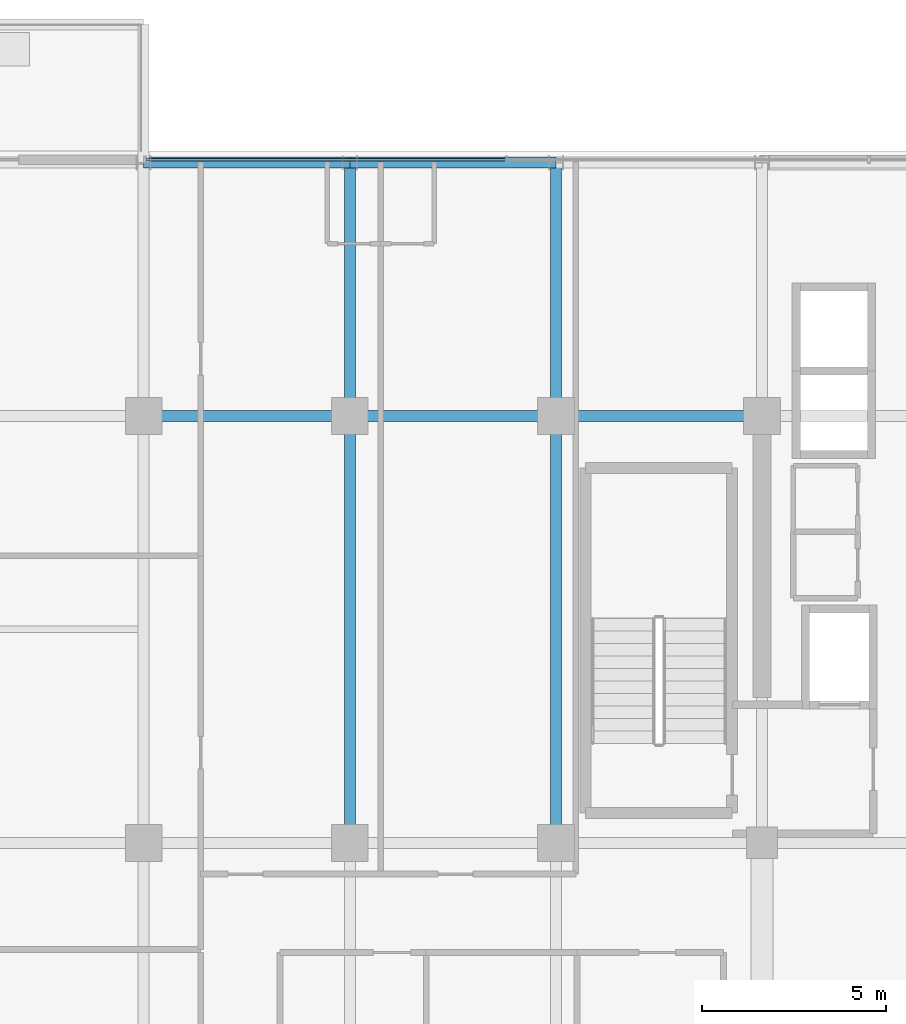
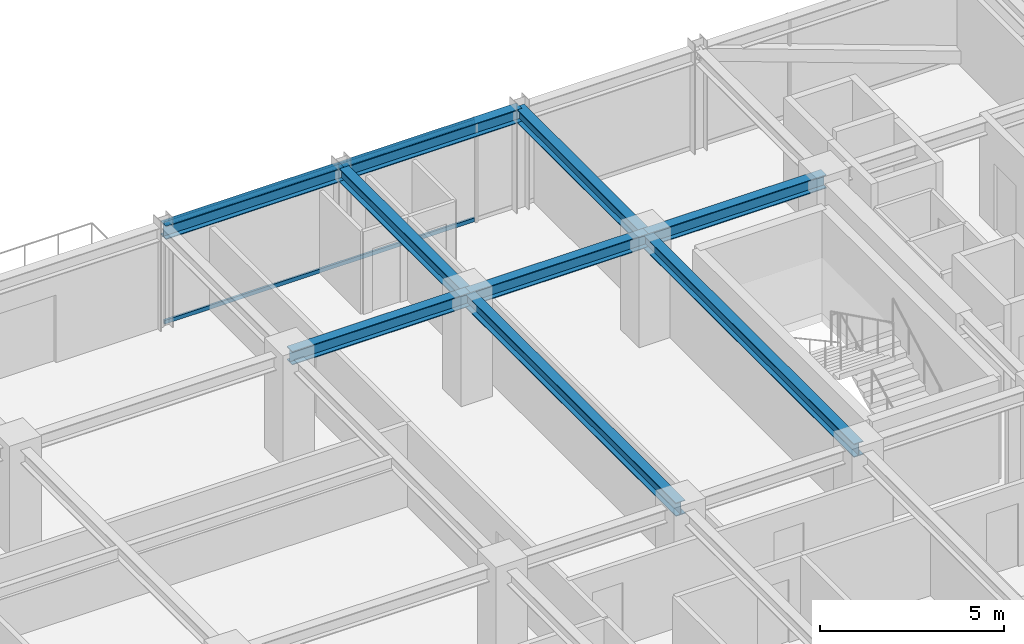
# One storey, part 22 of 36: 9 beams, 2 members, 1 element without a shape of its own.
"""IFC4 building model written with IfcOpenShell, lengths in metres."""

from ifc_helpers import new_model, si_unit, direction, frame, origin, origin_2d, place, context, subcontext, project, spatial, hollow_rectangle, i_section, extrude, source, transform, mapped, material, material_profile, profile_set, type_object, element, aggregate, save


model = new_model("IFC4")

# Units and contexts
model_context = context("Model", 3, precision=1e-05, world=origin(), true_north=direction((0.0, 1.0)))
body_context = subcontext(model_context, "Body", "Model", "MODEL_VIEW")
ifc_project = project(units=[si_unit("LENGTHUNIT", "METRE"), si_unit("AREAUNIT", "SQUARE_METRE"), si_unit("VOLUMEUNIT", "CUBIC_METRE"), si_unit("PLANEANGLEUNIT", "RADIAN"), si_unit("MASSUNIT", "GRAM", prefix="KILO")], contexts=[model_context])

# Site, building, storey
site_placement = place(None, origin())
site = spatial("IfcSite", under=ifc_project, at=site_placement, CompositionType="ELEMENT")
building_placement = place(site_placement, origin())
building = spatial("IfcBuilding", under=site, at=building_placement, Name="Nahalor Promenade Grand Hotel", CompositionType="ELEMENT")
storey_placement = place(building_placement, frame((0.0, 0.0, 219.699951171875)))
storey = spatial("IfcBuildingStorey", under=building, at=storey_placement, Name="L56", CompositionType="ELEMENT", Elevation=219.699951171875)

# Beams
ifc_material_1 = material(Name="Steel S355JR", Category="steel")
ifc_material_profile_1 = material_profile(ifc_material_1, i_section(OverallWidth=0.3, OverallDepth=0.45, WebThickness=0.014, FlangeThickness=0.026, at=origin_2d()), Name="HEB 450")
ifc_profile_set_1 = profile_set([ifc_material_profile_1], Name="Steel S355JR")
beam_type_1 = type_object("IfcBeamType", Name="Beam-Spandrel-HEB450", PredefinedType="SPANDREL", material=ifc_profile_set_1)
shared_shape_1 = source(origin(), body_context, "Body", "SweptSolid", [
    extrude(i_section(OverallWidth=0.3, OverallDepth=0.45, WebThickness=0.014, FlangeThickness=0.026, at=origin_2d()), origin(), (0.0, 0.0, 1.0), 5.599853515625),
])
beam_1_placement = place(storey_placement, frame((-8.39990234375, 23.8798828125, 3.18505859375), z_axis=(1.0, 0.0, 0.0), x_axis=(0.0, 1.0, 0.0)))
element("IfcBeam", 1, at=beam_1_placement, inside=storey, type_object=beam_type_1, Name="BM-L56-SP-N-1", PredefinedType="SPANDREL", context=body_context, shape_type="MappedRepresentation", body=[
    mapped(shared_shape_1, transform((0.0, 0.0, 0.0), scale=1.0)),
])
shared_shape_2 = source(origin(), body_context, "Body", "SweptSolid", [
    extrude(i_section(OverallWidth=0.3, OverallDepth=0.45, WebThickness=0.014, FlangeThickness=0.026, at=origin_2d()), origin(), (0.0, 0.0, 1.0), 5.60009765625),
])
beam_2_placement = place(storey_placement, frame((-2.800048828125, 23.8798828125, 3.18505859375), z_axis=(1.0, 0.0, 0.0), x_axis=(0.0, 1.0, 0.0)))
element("IfcBeam", 2, at=beam_2_placement, inside=storey, type_object=beam_type_1, Name="BM-L56-SP-N-2", PredefinedType="SPANDREL", context=body_context, shape_type="MappedRepresentation", body=[
    mapped(shared_shape_2, transform((0.0, 0.0, 0.0), scale=1.0)),
])
ifc_material_profile_2 = material_profile(ifc_material_1, i_section(OverallWidth=0.3, OverallDepth=0.45, WebThickness=0.014, FlangeThickness=0.026, at=origin_2d()), Name="HEB 450")
ifc_profile_set_2 = profile_set([ifc_material_profile_2], Name="Steel S355JR")
beam_type_2 = type_object("IfcBeamType", Name="Beam-Girder-HEB450", PredefinedType="BEAM", material=ifc_profile_set_2)
shared_shape_3 = source(origin(), body_context, "Body", "SweptSolid", [
    extrude(i_section(OverallWidth=0.3, OverallDepth=0.45, WebThickness=0.014, FlangeThickness=0.026, at=origin_2d()), origin(), (0.0, 0.0, 1.0), 6.8798828125),
])
for number, where, z_axis, x_axis, name in (
    (3, (-2.800048828125, 17.0, 3.18505859375), (0.0, 1.0, 0.0), (-1.0, 0.0, 0.0), "BM-L56-GY-2-4"),
    (4, (2.800048828125, 17.0, 3.18505859375), (0.0, 1.0, 0.0), (-1.0, 0.0, 0.0), "BM-L56-GY-3-4"),
):
    element("IfcBeam", number, at=place(storey_placement, frame(where, z_axis=z_axis, x_axis=x_axis)), inside=storey, type_object=beam_type_2, Name=name, PredefinedType="BEAM", context=body_context, shape_type="MappedRepresentation", body=[
        mapped(shared_shape_3, transform((0.0, 0.0, 0.0), scale=1.0)),
    ])
shared_shape_4 = source(origin(), body_context, "Body", "SweptSolid", [
    extrude(i_section(OverallWidth=0.3, OverallDepth=0.45, WebThickness=0.014, FlangeThickness=0.026, at=origin_2d()), origin(), (0.0, 0.0, 1.0), 5.599853515625),
])
for number, where, z_axis, x_axis, name in (
    (5, (-8.39990234375, 17.0, 3.18505859375), (1.0, 0.0, 0.0), (0.0, 1.0, 0.0), "BM-L56-GX-3-2"),
    (6, (2.800048828125, 17.0, 3.18505859375), (1.0, 0.0, 0.0), (0.0, 1.0, 0.0), "BM-L56-GX-3-4"),
):
    element("IfcBeam", number, at=place(storey_placement, frame(where, z_axis=z_axis, x_axis=x_axis)), inside=storey, type_object=beam_type_2, Name=name, PredefinedType="BEAM", context=body_context, shape_type="MappedRepresentation", body=[
        mapped(shared_shape_4, transform((0.0, 0.0, 0.0), scale=1.0)),
    ])
shared_shape_5 = source(origin(), body_context, "Body", "SweptSolid", [
    extrude(i_section(OverallWidth=0.3, OverallDepth=0.45, WebThickness=0.014, FlangeThickness=0.026, at=origin_2d()), origin(), (0.0, 0.0, 1.0), 5.60009765625),
])
beam_3_placement = place(storey_placement, frame((-2.800048828125, 17.0, 3.18505859375), z_axis=(1.0, 0.0, 0.0), x_axis=(0.0, 1.0, 0.0)))
element("IfcBeam", 7, at=beam_3_placement, inside=storey, type_object=beam_type_2, Name="BM-L56-GX-3-3", PredefinedType="BEAM", context=body_context, shape_type="MappedRepresentation", body=[
    mapped(shared_shape_5, transform((0.0, 0.0, 0.0), scale=1.0)),
])
shared_shape_6 = source(origin(), body_context, "Body", "SweptSolid", [
    extrude(i_section(OverallWidth=0.3, OverallDepth=0.45, WebThickness=0.014, FlangeThickness=0.026, at=origin_2d()), origin(), (0.0, 0.0, 1.0), 11.60009765625),
])
for number, where, z_axis, x_axis, name in (
    (8, (-2.800048828125, 5.39990234375, 3.18505859375), (0.0, 1.0, 0.0), (-1.0, 0.0, 0.0), "BM-L56-GY-2-3"),
    (9, (2.800048828125, 5.39990234375, 3.18505859375), (0.0, 1.0, 0.0), (-1.0, 0.0, 0.0), "BM-L56-GY-3-3"),
):
    element("IfcBeam", number, at=place(storey_placement, frame(where, z_axis=z_axis, x_axis=x_axis)), inside=storey, type_object=beam_type_2, Name=name, PredefinedType="BEAM", context=body_context, shape_type="MappedRepresentation", body=[
        mapped(shared_shape_6, transform((0.0, 0.0, 0.0), scale=1.0)),
    ])

# Curtain wall, members
ifc_material_2 = material(Name="Anodised Bronze Aluminium EN AW-6063 T6", Category="aluminium")
curtain_wall_type = type_object("IfcCurtainWallType", Name="CW2 Typical Hotel Flush Bronze Unitised Curtain Wall", PredefinedType="USERDEFINED", material=ifc_material_2)
curtain_wall_placement = place(storey_placement, origin())
curtain_wall = element("IfcCurtainWall", 10, at=curtain_wall_placement, inside=storey, type_object=curtain_wall_type, Name="L56 Curtain Wall CW-L56-N-3", ObjectType="UNITISED_CURTAIN_WALL", PredefinedType="USERDEFINED")
ifc_material_profile_3 = material_profile(ifc_material_2, hollow_rectangle(XDim=0.065, YDim=0.13, WallThickness=0.004, at=origin_2d()), Name="CWT 65x130x4")
ifc_profile_set_3 = profile_set([ifc_material_profile_3], Name="Anodised Bronze Aluminium EN AW-6063 T6")
member_type = type_object("IfcMemberType", Name="CWT2 Typical Bronze Transom 65x130", PredefinedType="USERDEFINED", material=ifc_profile_set_3)
shared_shape_7 = source(origin(), body_context, "Body", "SweptSolid", [
    extrude(hollow_rectangle(XDim=0.065, YDim=0.13, WallThickness=0.004, at=origin_2d()), origin(), (0.0, 0.0, 1.0), 9.755859375),
])
member_1_placement = place(storey_placement, frame((-8.3349609375, 23.9599609375, 0.06494140625), z_axis=(1.0, 0.0, 0.0), x_axis=(0.0, 1.0, 0.0)))
member_1 = element("IfcMember", 11, at=member_1_placement, type_object=member_type, Name="CW-L56-N-3 Transom 0-0", ObjectType="TRANSOM", PredefinedType="USERDEFINED", context=body_context, shape_type="MappedRepresentation", body=[
    mapped(shared_shape_7, transform((0.0, 0.0, 0.0), scale=1.0)),
])
member_2_placement = place(storey_placement, frame((-8.3349609375, 23.9599609375, 3.344970703125), z_axis=(1.0, 0.0, 0.0), x_axis=(0.0, 1.0, 0.0)))
member_2 = element("IfcMember", 12, at=member_2_placement, type_object=member_type, Name="CW-L56-N-3 Transom 0-1", ObjectType="TRANSOM", PredefinedType="USERDEFINED", context=body_context, shape_type="MappedRepresentation", body=[
    mapped(shared_shape_7, transform((0.0, 0.0, 0.0), scale=1.0)),
])
aggregate(curtain_wall, [member_1, member_2])

save(model, "model.ifc")
